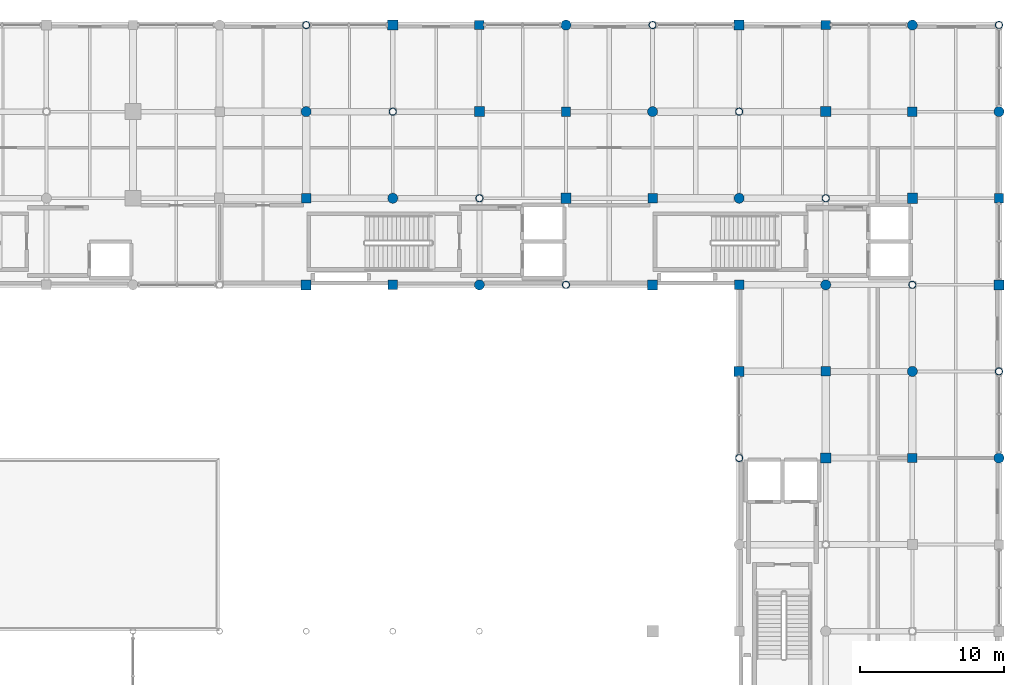
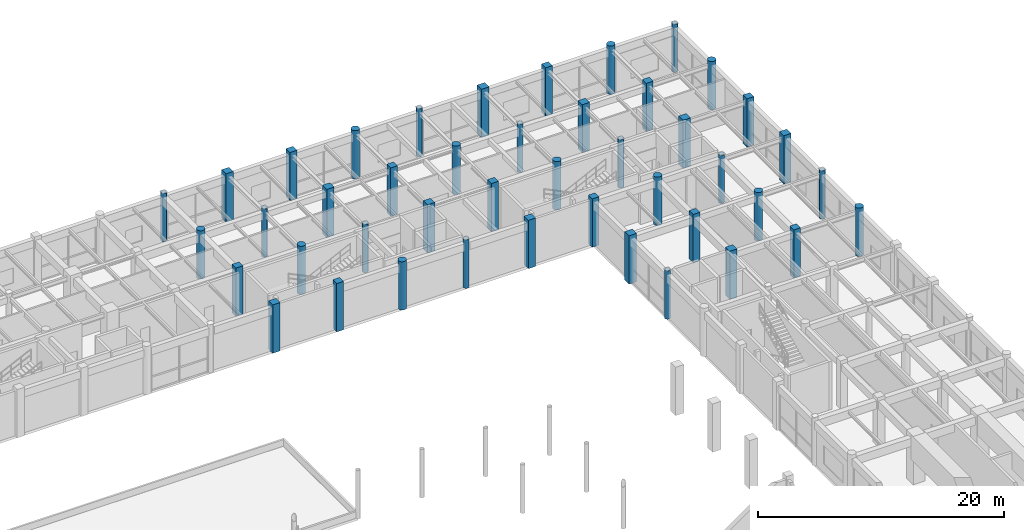
# One storey, part 14 of 123: 44 columns.
"""IFC4 building model written with IfcOpenShell, lengths in metres."""

from ifc_helpers import new_model, si_unit, direction, frame, origin, origin_2d, place, context, subcontext, project, spatial, rectangle, circle, hollow_circle, extrude, material, material_profile, profile_set, type_object, element, save


model = new_model("IFC4")

# Units and contexts
model_context = context("Model", 3, precision=1e-05, world=origin(), true_north=direction((0.0, 1.0)))
body_context = subcontext(model_context, "Body", "Model", "MODEL_VIEW")
ifc_project = project(units=[si_unit("LENGTHUNIT", "METRE"), si_unit("AREAUNIT", "SQUARE_METRE"), si_unit("VOLUMEUNIT", "CUBIC_METRE"), si_unit("PLANEANGLEUNIT", "RADIAN"), si_unit("MASSUNIT", "GRAM", prefix="KILO"), si_unit("THERMODYNAMICTEMPERATUREUNIT", "KELVIN"), si_unit("POWERUNIT", "WATT")], contexts=[model_context])

# Site, building, storey
site_placement = place(None, origin())
site = spatial("IfcSite", under=ifc_project, at=site_placement, CompositionType="ELEMENT")
building_placement = place(site_placement, origin())
building = spatial("IfcBuilding", under=site, at=building_placement, Name="Phaisarnlok Congress Hotel", CompositionType="ELEMENT")
storey_placement = place(building_placement, frame((0.0, 0.0, 15.0)))
storey = spatial("IfcBuildingStorey", under=building, at=storey_placement, Name="L03", CompositionType="ELEMENT", Elevation=15.0)

# Columns
ifc_material_1 = material(Name="Concrete C50/60", Category="concrete")
ifc_material_profile_1 = material_profile(ifc_material_1, rectangle(XDim=0.64990234375, YDim=0.64990234375, at=origin_2d()), Name="RC 650x650")
ifc_profile_set_1 = profile_set([ifc_material_profile_1], Name="Concrete C50/60")
column_type_1 = type_object("IfcColumnType", Name="COL-RC-650", PredefinedType="COLUMN", material=ifc_profile_set_1)
for number, where, z_axis, x_axis, name in (
    (1, (132.0, 114.0, 0.0), (0.0, 0.0, 1.0), (1.0, 0.0, 0.0), "Column C-04 (L03)"),
    (2, (138.0, 108.0, 0.0), (0.0, 0.0, 1.0), (1.0, 0.0, 0.0), "Column C-04 (L03)"),
    (3, (150.0, 120.0, 0.0), (0.0, 0.0, 1.0), (1.0, 0.0, 0.0), "Column C-04 (L03)"),
    (4, (156.0, 114.0, 0.0), (0.0, 0.0, 1.0), (1.0, 0.0, 0.0), "Column C-04 (L03)"),
    (5, (162.0, 108.0, 0.0), (0.0, 0.0, 1.0), (1.0, 0.0, 0.0), "Column C-04 (L03)"),
    (6, (168.0, 102.0, 0.0), (0.0, 0.0, 1.0), (1.0, 0.0, 0.0), "Column C-04 (L03)"),
    (7, (174.0, 96.0, 0.0), (0.0, 0.0, 1.0), (1.0, 0.0, 0.0), "Column C-04 (L03)"),
    (8, (174.0, 120.0, 0.0), (0.0, 0.0, 1.0), (1.0, 0.0, 0.0), "Column C-04 (L03)"),
):
    element("IfcColumn", number, at=place(storey_placement, frame(where, z_axis=z_axis, x_axis=x_axis)), inside=storey, type_object=column_type_1, Name=name, PredefinedType="COLUMN", context=body_context, shape_type="SweptSolid", body=[
        extrude(rectangle(XDim=0.64990234375, YDim=0.64990234375, at=origin_2d()), origin(), (0.0, 0.0, 1.0), 4.800048828125),
    ])
ifc_material_profile_2 = material_profile(ifc_material_1, rectangle(XDim=0.64990234375, YDim=0.64990234375, at=origin_2d()), Name="RC 650x650")
ifc_profile_set_2 = profile_set([ifc_material_profile_2], Name="Concrete C50/60")
column_type_2 = type_object("IfcColumnType", Name="COL-RC-650-EXT", PredefinedType="COLUMN", material=ifc_profile_set_2)
for number, where, z_axis, x_axis, name in (
    (9, (144.0, 126.0, 0.0), (0.0, 0.0, 1.0), (1.0, 0.0, 0.0), "Column C-04E (L03)"),
    (10, (168.0, 126.0, 0.0), (0.0, 0.0, 1.0), (1.0, 0.0, 0.0), "Column C-04E (L03)"),
    (11, (180.0, 114.0, 0.0), (0.0, 0.0, 1.0), (1.0, 0.0, 0.0), "Column C-04E (L03)"),
):
    element("IfcColumn", number, at=place(storey_placement, frame(where, z_axis=z_axis, x_axis=x_axis)), inside=storey, type_object=column_type_2, Name=name, PredefinedType="COLUMN", context=body_context, shape_type="SweptSolid", body=[
        extrude(rectangle(XDim=0.64990234375, YDim=0.64990234375, at=origin_2d()), origin(), (0.0, 0.0, 1.0), 4.800048828125),
    ])
ifc_material_profile_3 = material_profile(ifc_material_1, rectangle(XDim=0.699951171875, YDim=0.699951171875, at=origin_2d()), Name="RC 700x700")
ifc_profile_set_3 = profile_set([ifc_material_profile_3], Name="Concrete C50/60")
column_type_3 = type_object("IfcColumnType", Name="COL-RC-700", PredefinedType="COLUMN", material=ifc_profile_set_3)
for number, where, z_axis, x_axis, name in (
    (12, (132.0, 108.0, 0.0), (0.0, 0.0, 1.0), (1.0, 0.0, 0.0), "Column C-05 (L03)"),
    (13, (144.0, 120.0, 0.0), (0.0, 0.0, 1.0), (1.0, 0.0, 0.0), "Column C-05 (L03)"),
    (14, (150.0, 114.0, 0.0), (0.0, 0.0, 1.0), (1.0, 0.0, 0.0), "Column C-05 (L03)"),
    (15, (156.0, 108.0, 0.0), (0.0, 0.0, 1.0), (1.0, 0.0, 0.0), "Column C-05 (L03)"),
    (16, (162.0, 102.0, 0.0), (0.0, 0.0, 1.0), (1.0, 0.0, 0.0), "Column C-05 (L03)"),
    (17, (168.0, 96.0, 0.0), (0.0, 0.0, 1.0), (1.0, 0.0, 0.0), "Column C-05 (L03)"),
    (18, (168.0, 120.0, 0.0), (0.0, 0.0, 1.0), (1.0, 0.0, 0.0), "Column C-05 (L03)"),
    (19, (174.0, 114.0, 0.0), (0.0, 0.0, 1.0), (1.0, 0.0, 0.0), "Column C-05 (L03)"),
):
    element("IfcColumn", number, at=place(storey_placement, frame(where, z_axis=z_axis, x_axis=x_axis)), inside=storey, type_object=column_type_3, Name=name, PredefinedType="COLUMN", context=body_context, shape_type="SweptSolid", body=[
        extrude(rectangle(XDim=0.699951171875, YDim=0.699951171875, at=origin_2d()), origin(), (0.0, 0.0, 1.0), 4.800048828125),
    ])
ifc_material_profile_4 = material_profile(ifc_material_1, rectangle(XDim=0.699951171875, YDim=0.699951171875, at=origin_2d()), Name="RC 700x700")
ifc_profile_set_4 = profile_set([ifc_material_profile_4], Name="Concrete C50/60")
column_type_4 = type_object("IfcColumnType", Name="COL-RC-700-EXT", PredefinedType="COLUMN", material=ifc_profile_set_4)
for number, where, z_axis, x_axis, name in (
    (20, (138.0, 126.0, 0.0), (0.0, 0.0, 1.0), (1.0, 0.0, 0.0), "Column C-05E (L03)"),
    (21, (162.0, 126.0, 0.0), (0.0, 0.0, 1.0), (1.0, 0.0, 0.0), "Column C-05E (L03)"),
    (22, (180.0, 108.0, 0.0), (0.0, 0.0, 1.0), (1.0, 0.0, 0.0), "Column C-05E (L03)"),
):
    element("IfcColumn", number, at=place(storey_placement, frame(where, z_axis=z_axis, x_axis=x_axis)), inside=storey, type_object=column_type_4, Name=name, PredefinedType="COLUMN", context=body_context, shape_type="SweptSolid", body=[
        extrude(rectangle(XDim=0.699951171875, YDim=0.699951171875, at=origin_2d()), origin(), (0.0, 0.0, 1.0), 4.800048828125),
    ])
ifc_material_profile_5 = material_profile(ifc_material_1, circle(Radius=0.35009765625, at=origin_2d()), Name="RCC D700")
ifc_profile_set_5 = profile_set([ifc_material_profile_5], Name="Concrete C50/60")
column_type_5 = type_object("IfcColumnType", Name="COL-RCC-700", PredefinedType="COLUMN", material=ifc_profile_set_5)
for number, where, z_axis, x_axis, name in (
    (23, (132.0, 120.0, 0.0), (0.0, 0.0, 1.0), (1.0, 0.0, 0.0), "Column C-13 (L03)"),
    (24, (138.0, 114.0, 0.0), (0.0, 0.0, 1.0), (1.0, 0.0, 0.0), "Column C-13 (L03)"),
    (25, (144.0, 108.0, 0.0), (0.0, 0.0, 1.0), (1.0, 0.0, 0.0), "Column C-13 (L03)"),
    (26, (156.0, 120.0, 0.0), (0.0, 0.0, 1.0), (1.0, 0.0, 0.0), "Column C-13 (L03)"),
    (27, (162.0, 114.0, 0.0), (0.0, 0.0, 1.0), (1.0, 0.0, 0.0), "Column C-13 (L03)"),
    (28, (168.0, 108.0, 0.0), (0.0, 0.0, 1.0), (1.0, 0.0, 0.0), "Column C-13 (L03)"),
    (29, (174.0, 102.0, 0.0), (0.0, 0.0, 1.0), (1.0, 0.0, 0.0), "Column C-13 (L03)"),
):
    element("IfcColumn", number, at=place(storey_placement, frame(where, z_axis=z_axis, x_axis=x_axis)), inside=storey, type_object=column_type_5, Name=name, PredefinedType="COLUMN", context=body_context, shape_type="SweptSolid", body=[
        extrude(circle(Radius=0.35009765625, at=origin_2d()), origin(), (0.0, 0.0, 1.0), 4.800048828125),
    ])
ifc_material_profile_6 = material_profile(ifc_material_1, circle(Radius=0.35009765625, at=origin_2d()), Name="RCC D700")
ifc_profile_set_6 = profile_set([ifc_material_profile_6], Name="Concrete C50/60")
column_type_6 = type_object("IfcColumnType", Name="COL-RCC-700-EXT", PredefinedType="COLUMN", material=ifc_profile_set_6)
for number, where, z_axis, x_axis, name in (
    (30, (150.0, 126.0, 0.0), (0.0, 0.0, 1.0), (1.0, 0.0, 0.0), "Column C-13E (L03)"),
    (31, (174.0, 126.0, 0.0), (0.0, 0.0, 1.0), (1.0, 0.0, 0.0), "Column C-13E (L03)"),
    (32, (180.0, 96.0, 0.0), (0.0, 0.0, 1.0), (1.0, 0.0, 0.0), "Column C-13E (L03)"),
    (33, (180.0, 120.0, 0.0), (0.0, 0.0, 1.0), (1.0, 0.0, 0.0), "Column C-13E (L03)"),
):
    element("IfcColumn", number, at=place(storey_placement, frame(where, z_axis=z_axis, x_axis=x_axis)), inside=storey, type_object=column_type_6, Name=name, PredefinedType="COLUMN", context=body_context, shape_type="SweptSolid", body=[
        extrude(circle(Radius=0.35009765625, at=origin_2d()), origin(), (0.0, 0.0, 1.0), 4.800048828125),
    ])
ifc_material_2 = material(Name="Steel S355", Category="steel")
ifc_material_profile_7 = material_profile(ifc_material_2, hollow_circle(Radius=0.25390625, WallThickness=0.02490234375, at=origin_2d()), Name="CHS 508x25")
ifc_profile_set_7 = profile_set([ifc_material_profile_7], Name="Steel S355")
column_type_7 = type_object("IfcColumnType", Name="COL-STL-CHS508", PredefinedType="COLUMN", material=ifc_profile_set_7)
for number, where, z_axis, x_axis, name in (
    (34, (138.0, 120.0, 0.0), (0.0, 0.0, 1.0), (1.0, 0.0, 0.0), "Column SC-03 (L03)"),
    (35, (144.0, 114.0, 0.0), (0.0, 0.0, 1.0), (1.0, 0.0, 0.0), "Column SC-03 (L03)"),
    (36, (150.0, 108.0, 0.0), (0.0, 0.0, 1.0), (1.0, 0.0, 0.0), "Column SC-03 (L03)"),
    (37, (162.0, 96.0, 0.0), (0.0, 0.0, 1.0), (1.0, 0.0, 0.0), "Column SC-03 (L03)"),
    (38, (162.0, 120.0, 0.0), (0.0, 0.0, 1.0), (1.0, 0.0, 0.0), "Column SC-03 (L03)"),
    (39, (168.0, 114.0, 0.0), (0.0, 0.0, 1.0), (1.0, 0.0, 0.0), "Column SC-03 (L03)"),
    (40, (174.0, 108.0, 0.0), (0.0, 0.0, 1.0), (1.0, 0.0, 0.0), "Column SC-03 (L03)"),
):
    element("IfcColumn", number, at=place(storey_placement, frame(where, z_axis=z_axis, x_axis=x_axis)), inside=storey, type_object=column_type_7, Name=name, PredefinedType="COLUMN", context=body_context, shape_type="SweptSolid", body=[
        extrude(hollow_circle(Radius=0.25390625, WallThickness=0.02490234375, at=origin_2d()), origin(), (0.0, 0.0, 1.0), 4.800048828125),
    ])
ifc_material_profile_8 = material_profile(ifc_material_2, hollow_circle(Radius=0.25390625, WallThickness=0.02490234375, at=origin_2d()), Name="CHS 508x25")
ifc_profile_set_8 = profile_set([ifc_material_profile_8], Name="Steel S355")
column_type_8 = type_object("IfcColumnType", Name="COL-STL-CHS508-EXT", PredefinedType="COLUMN", material=ifc_profile_set_8)
for number, where, z_axis, x_axis, name in (
    (41, (132.0, 126.0, 0.0), (0.0, 0.0, 1.0), (1.0, 0.0, 0.0), "Column SC-03E (L03)"),
    (42, (156.0, 126.0, 0.0), (0.0, 0.0, 1.0), (1.0, 0.0, 0.0), "Column SC-03E (L03)"),
    (43, (180.0, 102.0, 0.0), (0.0, 0.0, 1.0), (1.0, 0.0, 0.0), "Column SC-03E (L03)"),
    (44, (180.0, 126.0, 0.0), (0.0, 0.0, 1.0), (1.0, 0.0, 0.0), "Column SC-03E (L03)"),
):
    element("IfcColumn", number, at=place(storey_placement, frame(where, z_axis=z_axis, x_axis=x_axis)), inside=storey, type_object=column_type_8, Name=name, PredefinedType="COLUMN", context=body_context, shape_type="SweptSolid", body=[
        extrude(hollow_circle(Radius=0.25390625, WallThickness=0.02490234375, at=origin_2d()), origin(), (0.0, 0.0, 1.0), 4.800048828125),
    ])

save(model, "model.ifc")
